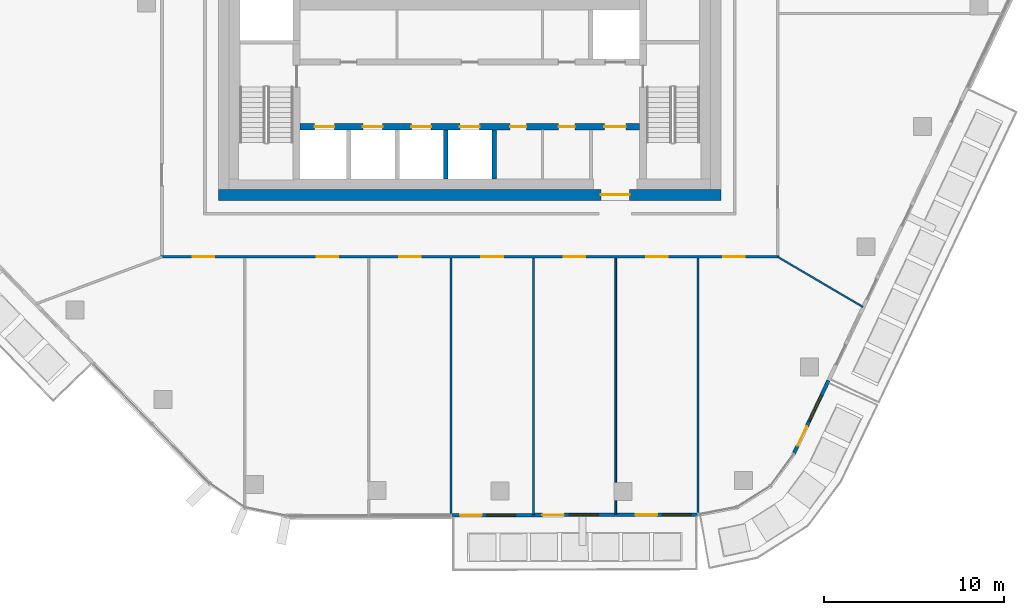
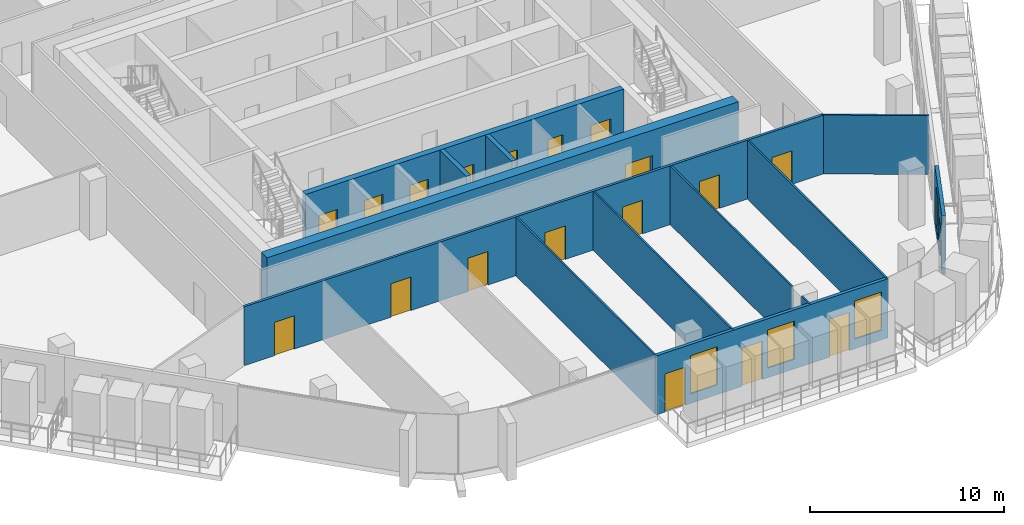
# One storey, part 13 of 24: 19 doors, 13 walls, 4 windows, 23 openings.
"""IFC4 building model written with IfcOpenShell, lengths in metres."""

import ifcopenshell
import ifcopenshell.guid

model = None  # the IFC model being written
_history = None  # IfcOwnerHistory: only IFC2X3 demands one
_inside = {}  # id of a spatial element -> (the spatial element, [elements in it])
_under = {}  # id of a project, library or spatial element -> (it, [spatial elements below it])
_declared = {}  # id of a project -> (the project, [libraries it declares])
_typed = {}  # id of a type object -> (the type object, [elements of that type])
_made_of = {}  # id of a material, layer set ... -> (it, [elements and type objects made of it])


def new_model(schema):
    """Start an empty IFC model of exactly this schema.

    Asked for "IFC4X3", IfcOpenShell would pick the latest addendum, in which some entities
    have other attributes; the version numbers below select the first issue.
    IFC2X3 requires an IfcOwnerHistory on every rooted entity: one is made here for all.
    """
    global model, _history
    if schema == "IFC4X3":
        model = ifcopenshell.file(schema_version=(4, 3, 0, 0))
    else:
        model = ifcopenshell.file(schema=schema)
    _inside.clear()
    _under.clear()
    _declared.clear()
    _typed.clear()
    _made_of.clear()
    _history = None
    if model.schema == "IFC2X3":
        org = make("IfcOrganization", Name="unknown")
        user = make(
            "IfcPersonAndOrganization",
            ThePerson=make("IfcPerson", FamilyName="unknown"),
            TheOrganization=org,
        )
        app = make(
            "IfcApplication",
            ApplicationDeveloper=org,
            Version="unknown",
            ApplicationFullName="unknown",
            ApplicationIdentifier="unknown",
        )
        _history = make(
            "IfcOwnerHistory",
            OwningUser=user,
            OwningApplication=app,
            ChangeAction="ADDED",
            CreationDate=0,
        )
    return model


def make(cls, **values):
    """One entity of the class cls with the attributes given. An attribute that is None is left unset."""
    return model.create_entity(
        cls, **{name: value for name, value in values.items() if value is not None}
    )


def rooted(cls, **values):
    """An entity with a GlobalId (a new one), such as an element, a storey or a relation."""
    return make(cls, GlobalId=ifcopenshell.guid.new(), OwnerHistory=_history, **values)


def si_unit(unit_type, name, prefix=None):
    """IfcSIUnit, for example si_unit("LENGTHUNIT", "METRE", prefix="MILLI")."""
    return make("IfcSIUnit", UnitType=unit_type, Prefix=prefix, Name=name)


def assignment(units):
    """IfcUnitAssignment: the units of a project."""
    return None if units is None else make("IfcUnitAssignment", Units=units)


def point(xyz):
    """IfcCartesianPoint."""
    return None if xyz is None else make("IfcCartesianPoint", Coordinates=xyz)


def direction(xyz):
    """IfcDirection."""
    return None if xyz is None else make("IfcDirection", DirectionRatios=xyz)


def frame(location, z_axis=None, x_axis=None):
    """IfcAxis2Placement3D, a coordinate frame: its origin and axes. An axis left out is left unset."""
    return make(
        "IfcAxis2Placement3D",
        Location=point(location),
        Axis=direction(z_axis),
        RefDirection=direction(x_axis),
    )


def frame_2d(location, x_axis=None):
    """IfcAxis2Placement2D, a coordinate frame in the plane: its origin and x axis."""
    return make(
        "IfcAxis2Placement2D", Location=point(location), RefDirection=direction(x_axis)
    )


def origin():
    """The frame at (0, 0, 0) with its axes left unset."""
    return frame((0.0, 0.0, 0.0))


def place(relative_to, where):
    """IfcLocalPlacement: puts the frame where relative to a parent placement (None: the world)."""
    return make(
        "IfcLocalPlacement", PlacementRelTo=relative_to, RelativePlacement=where
    )


def context(
    kind, dimensions, precision=None, world=None, true_north=None, identifier=None
):
    """IfcGeometricRepresentationContext, for example the 3D "Model" context."""
    return make(
        "IfcGeometricRepresentationContext",
        ContextIdentifier=identifier,
        ContextType=kind,
        CoordinateSpaceDimension=dimensions,
        Precision=precision,
        WorldCoordinateSystem=world,
        TrueNorth=true_north,
    )


def subcontext(parent, identifier, kind, view, scale=None):
    """IfcGeometricRepresentationSubContext, for example "Body" below "Model"."""
    return make(
        "IfcGeometricRepresentationSubContext",
        ContextIdentifier=identifier,
        ContextType=kind,
        ParentContext=parent,
        TargetScale=scale,
        TargetView=view,
    )


def project(units=None, contexts=None):
    """IfcProject with its units and contexts."""
    return rooted(
        "IfcProject",
        Name="project",
        RepresentationContexts=contexts,
        UnitsInContext=assignment(units),
    )


def spatial(cls, under=None, at=None, **own):
    """A site, building, storey or space (cls), placed at a placement, below another one or the project."""
    s = rooted(cls, ObjectPlacement=at, **own)
    if under is not None:
        _under.setdefault(under.id(), (under, []))[1].append(s)
    return s


def profile(cls, at=None, kind="AREA", **sizes):
    """A parametric profile (cls). Its sizes go by their IFC names, for example OverallWidth=200.0."""
    return make(cls, ProfileType=kind, Position=at, **sizes)


def rectangle(**sizes):
    """IfcRectangleProfileDef."""
    return profile("IfcRectangleProfileDef", **sizes)


def extrude(swept, where, along, depth):
    """IfcExtrudedAreaSolid: the profile swept, set in the frame where, extruded along a direction by depth."""
    return make(
        "IfcExtrudedAreaSolid",
        SweptArea=swept,
        Position=where,
        ExtrudedDirection=direction(along),
        Depth=depth,
    )


def shape(context_of_items, identifier, shape_type, items):
    """IfcShapeRepresentation: the items that make up one representation, for example the "Body"."""
    return make(
        "IfcShapeRepresentation",
        ContextOfItems=context_of_items,
        RepresentationIdentifier=identifier,
        RepresentationType=shape_type,
        Items=items,
    )


def material(Name=None, Category=None):
    """IfcMaterial."""
    return make("IfcMaterial", Name=Name, Category=Category)


def layer(
    of_material, thickness, ventilated=None, Name=None, Category=None, Priority=None
):
    """IfcMaterialLayer: one layer of a wall or slab, of a material (None: an air gap)."""
    return make(
        "IfcMaterialLayer",
        Material=of_material,
        LayerThickness=thickness,
        IsVentilated=ventilated,
        Name=Name,
        Category=Category,
        Priority=Priority,
    )


def layer_set(layers, Name=None):
    """IfcMaterialLayerSet."""
    return make("IfcMaterialLayerSet", MaterialLayers=layers, LayerSetName=Name)


def made_of(thing, what):
    """Note that an element or type object is made of a material, layer set ...; save() writes the relation."""
    if what is not None:
        _made_of.setdefault(what.id(), (what, []))[1].append(thing)
    return thing


def type_object(cls, material=None, **own):
    """A type object (cls), such as IfcWallType, which elements share."""
    return made_of(rooted(cls, **own), material)


def element(
    cls,
    number,
    at=None,
    inside=None,
    cuts=None,
    type_object=None,
    material=None,
    context=None,
    identifier="Body",
    shape_type=None,
    held_by="IfcProductDefinitionShape",
    body=None,
    shapes=None,
    **own,
):
    """One element of the class cls, such as IfcWall. Its Tag is "e" and its number.

    at: its placement. inside: the storey or other place that contains it. cuts: it is an
    opening in that element (IfcRelVoidsElement). A single representation is given by context,
    identifier, shape_type and body (its items); several are given by shapes. held_by: the class
    of the entity that holds the representations. save() writes the other relations.
    """
    e = rooted(cls, Tag="e%d" % number, ObjectPlacement=at, **own)
    if body is not None:
        shapes = [shape(context, identifier, shape_type, body)]
    if shapes is not None:
        e.Representation = make(held_by, Representations=shapes)
    if inside is not None:
        _inside.setdefault(inside.id(), (inside, []))[1].append(e)
    if cuts is not None:
        rooted(
            "IfcRelVoidsElement", RelatingBuildingElement=cuts, RelatedOpeningElement=e
        )
    if type_object is not None:
        _typed.setdefault(type_object.id(), (type_object, []))[1].append(e)
    return made_of(e, material)


def fill(opening, filler):
    """IfcRelFillsElement: the door or window that sits in an opening."""
    return rooted(
        "IfcRelFillsElement",
        RelatingOpeningElement=opening,
        RelatedBuildingElement=filler,
    )


def aggregate(whole, parts):
    """IfcRelAggregates: a whole, such as a stair, and the parts it consists of."""
    return rooted("IfcRelAggregates", RelatingObject=whole, RelatedObjects=parts)


def save(model, path):
    """Write the relations noted so far, then the file.

    IfcRelAggregates (storeys below a building ...), IfcRelContainedInSpatialStructure (elements
    in a storey), IfcRelDefinesByType, IfcRelAssociatesMaterial and IfcRelDeclares: one each for
    every whole, place, type object, material and project.
    """
    for whole, parts in _under.values():
        aggregate(whole, parts)
    for where, things in _inside.values():
        rooted(
            "IfcRelContainedInSpatialStructure",
            RelatedElements=things,
            RelatingStructure=where,
        )
    for kind, things in _typed.values():
        rooted("IfcRelDefinesByType", RelatedObjects=things, RelatingType=kind)
    for what, things in _made_of.values():
        rooted("IfcRelAssociatesMaterial", RelatedObjects=things, RelatingMaterial=what)
    for by, libraries in _declared.values():
        rooted("IfcRelDeclares", RelatingContext=by, RelatedDefinitions=libraries)
    model.write(path)


model = new_model("IFC4")

# Units and contexts
model_context = context("Model", 3, precision=1e-05, world=origin(), true_north=direction((0.0, 1.0)))
body_context = subcontext(model_context, "Body", "Model", "MODEL_VIEW")
ifc_project = project(units=[si_unit("LENGTHUNIT", "METRE"), si_unit("AREAUNIT", "SQUARE_METRE"), si_unit("VOLUMEUNIT", "CUBIC_METRE"), si_unit("PLANEANGLEUNIT", "RADIAN"), si_unit("MASSUNIT", "GRAM", prefix="KILO")], contexts=[model_context])

# Site, building, storey
site_placement = place(None, origin())
site = spatial("IfcSite", under=ifc_project, at=site_placement, CompositionType="ELEMENT")
building_placement = place(site_placement, origin())
building = spatial("IfcBuilding", under=site, at=building_placement, Name="Dongbaek Canopy Tower", CompositionType="ELEMENT")
storey_placement = place(building_placement, frame((0.0, 0.0, 348.800048828125)))
storey = spatial("IfcBuildingStorey", under=building, at=storey_placement, Name="L75", CompositionType="ELEMENT", Elevation=348.800048828125)

# Wall, openings, doors
ifc_material_1 = material(Name="Concrete C60/75", Category="concrete")
ifc_layer_1 = layer(ifc_material_1, 0.35009765625)
ifc_layer_set_1 = layer_set([ifc_layer_1], Name="Core lobby wall 350 Concrete C60/75")
wall_type_1 = type_object("IfcWallType", Name="Core lobby wall 350 Concrete C60/75", PredefinedType="SHEAR", material=ifc_layer_set_1)
wall_1_placement = place(storey_placement, frame((9.449951171875, -6.89990234375, 0.0), z_axis=(0.0, 0.0, 1.0), x_axis=(-1.0, 0.0, 0.0)))
wall_1 = element("IfcWall", 1, at=wall_1_placement, inside=storey, type_object=wall_type_1, Name="Core wall", PredefinedType="SHEAR", context=body_context, shape_type="SweptSolid", body=[
    extrude(rectangle(XDim=18.89990234375, YDim=0.35009765625, at=frame_2d((9.449951171875, 0.0))), origin(), (0.0, 0.0, 1.0), 3.699951171875),
])
opening_1_placement = place(wall_1_placement, frame((17.0, 0.0, 0.0)))
opening_1 = element("IfcOpeningElement", 2, at=opening_1_placement, cuts=wall_1, Name="Opening L75-D028", PredefinedType="OPENING", context=body_context, shape_type="SweptSolid", body=[
    extrude(rectangle(XDim=1.10009765625, YDim=2.10009765625, at=frame_2d((0.550048828125, 1.050048828125))), frame((0.0, 0.18505859375, 0.0), z_axis=(0.0, -1.0, 0.0), x_axis=(1.0, 0.0, 0.0)), (0.0, 0.0, 1.0), 0.3701171875),
])
opening_2_placement = place(wall_1_placement, frame((14.300048828125, 0.0, 0.0)))
opening_2 = element("IfcOpeningElement", 3, at=opening_2_placement, cuts=wall_1, Name="Opening L75-D029", PredefinedType="OPENING", context=body_context, shape_type="SweptSolid", body=[
    extrude(rectangle(XDim=1.10009765625, YDim=2.10009765625, at=frame_2d((0.550048828125, 1.050048828125))), frame((0.0, 0.18505859375, 0.0), z_axis=(0.0, -1.0, 0.0), x_axis=(1.0, 0.0, 0.0)), (0.0, 0.0, 1.0), 0.3701171875),
])
opening_3_placement = place(wall_1_placement, frame((11.60009765625, 0.0, 0.0)))
opening_3 = element("IfcOpeningElement", 4, at=opening_3_placement, cuts=wall_1, Name="Opening L75-D030", PredefinedType="OPENING", context=body_context, shape_type="SweptSolid", body=[
    extrude(rectangle(XDim=1.10009765625, YDim=2.10009765625, at=frame_2d((0.550048828125, 1.050048828125))), frame((0.0, 0.18505859375, 0.0), z_axis=(0.0, -1.0, 0.0), x_axis=(1.0, 0.0, 0.0)), (0.0, 0.0, 1.0), 0.3701171875),
])
opening_4_placement = place(wall_1_placement, frame((8.89990234375, 0.0, 0.0)))
opening_4 = element("IfcOpeningElement", 5, at=opening_4_placement, cuts=wall_1, Name="Opening L75-D031", PredefinedType="OPENING", context=body_context, shape_type="SweptSolid", body=[
    extrude(rectangle(XDim=1.10009765625, YDim=2.10009765625, at=frame_2d((0.550048828125, 1.050048828125))), frame((0.0, 0.18505859375, 0.0), z_axis=(0.0, -1.0, 0.0), x_axis=(1.0, 0.0, 0.0)), (0.0, 0.0, 1.0), 0.3701171875),
])
opening_5_placement = place(wall_1_placement, frame((0.75, 0.0, 0.0)))
opening_5 = element("IfcOpeningElement", 6, at=opening_5_placement, cuts=wall_1, Name="Opening L75-D033", PredefinedType="OPENING", context=body_context, shape_type="SweptSolid", body=[
    extrude(rectangle(XDim=1.199951171875, YDim=2.10009765625, at=frame_2d((0.60009765625, 1.050048828125))), frame((0.0, 0.18505859375, 0.0), z_axis=(0.0, -1.0, 0.0), x_axis=(1.0, 0.0, 0.0)), (0.0, 0.0, 1.0), 0.3701171875),
])
opening_6_placement = place(wall_1_placement, frame((6.300048828125, 0.0, 0.0)))
opening_6 = element("IfcOpeningElement", 7, at=opening_6_placement, cuts=wall_1, Name="Opening L75-D042", PredefinedType="OPENING", context=body_context, shape_type="SweptSolid", body=[
    extrude(rectangle(XDim=0.89990234375, YDim=2.10009765625, at=frame_2d((0.449951171875, 1.050048828125))), frame((0.0, 0.18505859375, 0.0), z_axis=(0.0, -1.0, 0.0), x_axis=(1.0, 0.0, 0.0)), (0.0, 0.0, 1.0), 0.3701171875),
])
opening_7_placement = place(wall_1_placement, frame((3.60009765625, 0.0, 0.0)))
opening_7 = element("IfcOpeningElement", 8, at=opening_7_placement, cuts=wall_1, Name="Opening L75-D043", PredefinedType="OPENING", context=body_context, shape_type="SweptSolid", body=[
    extrude(rectangle(XDim=0.89990234375, YDim=2.10009765625, at=frame_2d((0.449951171875, 1.050048828125))), frame((0.0, 0.18505859375, 0.0), z_axis=(0.0, -1.0, 0.0), x_axis=(1.0, 0.0, 0.0)), (0.0, 0.0, 1.0), 0.3701171875),
])
ifc_material_2 = material(Name="Steel", Category="steel")
door_type_1 = type_object("IfcDoorType", Name="Core room door 900 x 2100", OperationType="SINGLE_SWING_LEFT", PredefinedType="DOOR", material=ifc_material_2)
door_1_placement = place(opening_6_placement, origin())
door_1 = element("IfcDoor", 9, at=door_1_placement, inside=storey, type_object=door_type_1, Name="Door L75-D042", OperationType="SINGLE_SWING_RIGHT", OverallHeight=2.10009765625, OverallWidth=0.89990234375, PredefinedType="DOOR", context=body_context, shape_type="SweptSolid", body=[
    extrude(rectangle(XDim=0.89990234375, YDim=2.10009765625, at=frame_2d((0.449951171875, 1.050048828125))), frame((0.0, 0.02490234375, 0.0), z_axis=(0.0, -1.0, 0.0), x_axis=(1.0, 0.0, 0.0)), (0.0, 0.0, 1.0), 0.050048828125),
])
fill(opening_6, door_1)
door_2_placement = place(opening_7_placement, origin())
door_2 = element("IfcDoor", 10, at=door_2_placement, inside=storey, type_object=door_type_1, Name="Door L75-D043", OperationType="SINGLE_SWING_LEFT", OverallHeight=2.10009765625, OverallWidth=0.89990234375, PredefinedType="DOOR", context=body_context, shape_type="SweptSolid", body=[
    extrude(rectangle(XDim=0.89990234375, YDim=2.10009765625, at=frame_2d((0.449951171875, 1.050048828125))), frame((0.0, 0.02490234375, 0.0), z_axis=(0.0, -1.0, 0.0), x_axis=(1.0, 0.0, 0.0)), (0.0, 0.0, 1.0), 0.050048828125),
])
fill(opening_7, door_2)
ifc_material_3 = material(Name="Steel", Category="steel")
door_type_2 = type_object("IfcDoorType", Name="Fire lobby door 1200 x 2100", OperationType="SINGLE_SWING_LEFT", PredefinedType="DOOR", material=ifc_material_3)
door_3_placement = place(opening_5_placement, origin())
door_3 = element("IfcDoor", 11, at=door_3_placement, inside=storey, type_object=door_type_2, Name="Door L75-D033", OperationType="SINGLE_SWING_LEFT", OverallHeight=2.10009765625, OverallWidth=1.199951171875, PredefinedType="DOOR", context=body_context, shape_type="SweptSolid", body=[
    extrude(rectangle(XDim=1.199951171875, YDim=2.10009765625, at=frame_2d((0.60009765625, 1.050048828125))), frame((0.0, 0.02490234375, 0.0), z_axis=(0.0, -1.0, 0.0), x_axis=(1.0, 0.0, 0.0)), (0.0, 0.0, 1.0), 0.050048828125),
])
fill(opening_5, door_3)
ifc_material_4 = material(Name="Stainless steel", Category="steel")
door_type_3 = type_object("IfcDoorType", Name="Lift landing door 1100 x 2100", OperationType="DOUBLE_DOOR_SLIDING", PredefinedType="DOOR", material=ifc_material_4)
door_4_placement = place(opening_1_placement, origin())
door_4 = element("IfcDoor", 12, at=door_4_placement, inside=storey, type_object=door_type_3, Name="Landing door HR1", OperationType="DOUBLE_DOOR_SLIDING", OverallHeight=2.10009765625, OverallWidth=1.10009765625, PredefinedType="DOOR", context=body_context, shape_type="SweptSolid", body=[
    extrude(rectangle(XDim=1.10009765625, YDim=2.10009765625, at=frame_2d((0.550048828125, 1.050048828125))), frame((0.0, 0.02490234375, 0.0), z_axis=(0.0, -1.0, 0.0), x_axis=(1.0, 0.0, 0.0)), (0.0, 0.0, 1.0), 0.050048828125),
])
fill(opening_1, door_4)
door_5_placement = place(opening_2_placement, origin())
door_5 = element("IfcDoor", 13, at=door_5_placement, inside=storey, type_object=door_type_3, Name="Landing door HR2", OperationType="DOUBLE_DOOR_SLIDING", OverallHeight=2.10009765625, OverallWidth=1.10009765625, PredefinedType="DOOR", context=body_context, shape_type="SweptSolid", body=[
    extrude(rectangle(XDim=1.10009765625, YDim=2.10009765625, at=frame_2d((0.550048828125, 1.050048828125))), frame((0.0, 0.02490234375, 0.0), z_axis=(0.0, -1.0, 0.0), x_axis=(1.0, 0.0, 0.0)), (0.0, 0.0, 1.0), 0.050048828125),
])
fill(opening_2, door_5)
door_6_placement = place(opening_3_placement, origin())
door_6 = element("IfcDoor", 14, at=door_6_placement, inside=storey, type_object=door_type_3, Name="Landing door HR3", OperationType="DOUBLE_DOOR_SLIDING", OverallHeight=2.10009765625, OverallWidth=1.10009765625, PredefinedType="DOOR", context=body_context, shape_type="SweptSolid", body=[
    extrude(rectangle(XDim=1.10009765625, YDim=2.10009765625, at=frame_2d((0.550048828125, 1.050048828125))), frame((0.0, 0.02490234375, 0.0), z_axis=(0.0, -1.0, 0.0), x_axis=(1.0, 0.0, 0.0)), (0.0, 0.0, 1.0), 0.050048828125),
])
fill(opening_3, door_6)
door_7_placement = place(opening_4_placement, origin())
door_7 = element("IfcDoor", 15, at=door_7_placement, inside=storey, type_object=door_type_3, Name="Landing door HR4", OperationType="DOUBLE_DOOR_SLIDING", OverallHeight=2.10009765625, OverallWidth=1.10009765625, PredefinedType="DOOR", context=body_context, shape_type="SweptSolid", body=[
    extrude(rectangle(XDim=1.10009765625, YDim=2.10009765625, at=frame_2d((0.550048828125, 1.050048828125))), frame((0.0, 0.02490234375, 0.0), z_axis=(0.0, -1.0, 0.0), x_axis=(1.0, 0.0, 0.0)), (0.0, 0.0, 1.0), 0.050048828125),
])
fill(opening_4, door_7)

# Wall, opening, door
ifc_material_5 = material(Name="Concrete C80/95", Category="concrete")
ifc_layer_2 = layer(ifc_material_5, 0.60009765625)
ifc_layer_set_2 = layer_set([ifc_layer_2], Name="Core outer wall 600 Concrete C80/95")
wall_type_2 = type_object("IfcWallType", Name="Core outer wall 600 Concrete C80/95", PredefinedType="SHEAR", material=ifc_layer_set_2)
wall_2_placement = place(storey_placement, frame((14.0, -10.699951171875, 0.0), z_axis=(0.0, 0.0, 1.0), x_axis=(-1.0, 0.0, 0.0)))
wall_2 = element("IfcWall", 16, at=wall_2_placement, inside=storey, type_object=wall_type_2, Name="Core wall", PredefinedType="SHEAR", context=body_context, shape_type="SweptSolid", body=[
    extrude(rectangle(XDim=28.0, YDim=0.60009765625, at=frame_2d((14.0, 0.0))), origin(), (0.0, 0.0, 1.0), 3.699951171875),
])
opening_8_placement = place(wall_2_placement, frame((5.10009765625, 0.0, 0.0)))
opening_8 = element("IfcOpeningElement", 17, at=opening_8_placement, cuts=wall_2, Name="Opening L75-D032", PredefinedType="OPENING", context=body_context, shape_type="SweptSolid", body=[
    extrude(rectangle(XDim=1.60009765625, YDim=2.10009765625, at=frame_2d((0.800048828125, 1.050048828125))), frame((0.0, 0.31005859375, 0.0), z_axis=(0.0, -1.0, 0.0), x_axis=(1.0, 0.0, 0.0)), (0.0, 0.0, 1.0), 0.6201171875),
])
ifc_material_6 = material(Name="Steel", Category="steel")
door_type_4 = type_object("IfcDoorType", Name="Core exit door 1600 x 2100", OperationType="DOUBLE_DOOR_SINGLE_SWING", PredefinedType="DOOR", material=ifc_material_6)
door_8_placement = place(opening_8_placement, origin())
door_8 = element("IfcDoor", 18, at=door_8_placement, inside=storey, type_object=door_type_4, Name="Core exit door", OperationType="DOUBLE_DOOR_SINGLE_SWING", OverallHeight=2.10009765625, OverallWidth=1.60009765625, PredefinedType="DOOR", context=body_context, shape_type="SweptSolid", body=[
    extrude(rectangle(XDim=1.60009765625, YDim=2.10009765625, at=frame_2d((0.800048828125, 1.050048828125))), frame((0.0, 0.02490234375, 0.0), z_axis=(0.0, -1.0, 0.0), x_axis=(1.0, 0.0, 0.0)), (0.0, 0.0, 1.0), 0.050048828125),
])
fill(opening_8, door_8)

# Wall, openings, doors
ifc_material_7 = material(Name="Gypsum board partition, steel stud, 2 x 15 mm fire board", Category="steel")
ifc_layer_3 = layer(ifc_material_7, 0.14990234375)
ifc_layer_set_3 = layer_set([ifc_layer_3], Name="Fire-rated partition 150 gypsum board")
wall_type_3 = type_object("IfcWallType", Name="Fire-rated partition 150 gypsum board", PredefinedType="PARTITIONING", material=ifc_layer_set_3)
wall_3_placement = place(storey_placement, frame((17.22509765625, -14.14990234375, 0.0), z_axis=(0.0, 0.0, 1.0), x_axis=(-1.0, 0.0, 0.0)))
wall_3 = element("IfcWall", 19, at=wall_3_placement, inside=storey, type_object=wall_type_3, Name="Corridor partition", PredefinedType="PARTITIONING", context=body_context, shape_type="SweptSolid", body=[
    extrude(rectangle(XDim=34.4501953125, YDim=0.14990234375, at=frame_2d((17.22509765625, 0.0))), origin(), (0.0, 0.0, 1.0), 3.699951171875),
])
opening_9_placement = place(wall_3_placement, frame((31.46435546875, 0.0, 0.0)))
opening_9 = element("IfcOpeningElement", 20, at=opening_9_placement, cuts=wall_3, Name="Opening L75-D002", PredefinedType="OPENING", context=body_context, shape_type="SweptSolid", body=[
    extrude(rectangle(XDim=1.199951171875, YDim=2.10009765625, at=frame_2d((0.60009765625, 1.050048828125))), frame((0.0, 0.0849609375, 0.0), z_axis=(0.0, -1.0, 0.0), x_axis=(1.0, 0.0, 0.0)), (0.0, 0.0, 1.0), 0.169921875),
])
opening_10_placement = place(wall_3_placement, frame((24.54638671875, 0.0, 0.0)))
opening_10 = element("IfcOpeningElement", 21, at=opening_10_placement, cuts=wall_3, Name="Opening L75-D003", PredefinedType="OPENING", context=body_context, shape_type="SweptSolid", body=[
    extrude(rectangle(XDim=1.199951171875, YDim=2.10009765625, at=frame_2d((0.60009765625, 1.050048828125))), frame((0.0, 0.0849609375, 0.0), z_axis=(0.0, -1.0, 0.0), x_axis=(1.0, 0.0, 0.0)), (0.0, 0.0, 1.0), 0.169921875),
])
opening_11_placement = place(wall_3_placement, frame((19.962158203125, 0.0, 0.0)))
opening_11 = element("IfcOpeningElement", 22, at=opening_11_placement, cuts=wall_3, Name="Opening L75-D004", PredefinedType="OPENING", context=body_context, shape_type="SweptSolid", body=[
    extrude(rectangle(XDim=1.199951171875, YDim=2.10009765625, at=frame_2d((0.60009765625, 1.050048828125))), frame((0.0, 0.0849609375, 0.0), z_axis=(0.0, -1.0, 0.0), x_axis=(1.0, 0.0, 0.0)), (0.0, 0.0, 1.0), 0.169921875),
])
opening_12_placement = place(wall_3_placement, frame((15.37451171875, 0.0, 0.0)))
opening_12 = element("IfcOpeningElement", 23, at=opening_12_placement, cuts=wall_3, Name="Opening L75-D005", PredefinedType="OPENING", context=body_context, shape_type="SweptSolid", body=[
    extrude(rectangle(XDim=1.199951171875, YDim=2.10009765625, at=frame_2d((0.60009765625, 1.050048828125))), frame((0.0, 0.0849609375, 0.0), z_axis=(0.0, -1.0, 0.0), x_axis=(1.0, 0.0, 0.0)), (0.0, 0.0, 1.0), 0.169921875),
])
opening_13_placement = place(wall_3_placement, frame((10.788330078125, 0.0, 0.0)))
opening_13 = element("IfcOpeningElement", 24, at=opening_13_placement, cuts=wall_3, Name="Opening L75-D006", PredefinedType="OPENING", context=body_context, shape_type="SweptSolid", body=[
    extrude(rectangle(XDim=1.199951171875, YDim=2.10009765625, at=frame_2d((0.60009765625, 1.050048828125))), frame((0.0, 0.0849609375, 0.0), z_axis=(0.0, -1.0, 0.0), x_axis=(1.0, 0.0, 0.0)), (0.0, 0.0, 1.0), 0.169921875),
])
opening_14_placement = place(wall_3_placement, frame((6.202392578125, 0.0, 0.0)))
opening_14 = element("IfcOpeningElement", 25, at=opening_14_placement, cuts=wall_3, Name="Opening L75-D007", PredefinedType="OPENING", context=body_context, shape_type="SweptSolid", body=[
    extrude(rectangle(XDim=1.199951171875, YDim=2.10009765625, at=frame_2d((0.60009765625, 1.050048828125))), frame((0.0, 0.0849609375, 0.0), z_axis=(0.0, -1.0, 0.0), x_axis=(1.0, 0.0, 0.0)), (0.0, 0.0, 1.0), 0.169921875),
])
opening_15_placement = place(wall_3_placement, frame((1.89697265625, 0.0, 0.0)))
opening_15 = element("IfcOpeningElement", 26, at=opening_15_placement, cuts=wall_3, Name="Opening L75-D008", PredefinedType="OPENING", context=body_context, shape_type="SweptSolid", body=[
    extrude(rectangle(XDim=1.199951171875, YDim=2.10009765625, at=frame_2d((0.60009765625, 1.050048828125))), frame((0.0, 0.0849609375, 0.0), z_axis=(0.0, -1.0, 0.0), x_axis=(1.0, 0.0, 0.0)), (0.0, 0.0, 1.0), 0.169921875),
])
ifc_material_8 = material(Name="Timber veneered door leaf", Category="wood")
door_type_5 = type_object("IfcDoorType", Name="Room door 1200 x 2100", OperationType="SINGLE_SWING_LEFT", PredefinedType="DOOR", material=ifc_material_8)
door_9_placement = place(opening_9_placement, origin())
door_9 = element("IfcDoor", 27, at=door_9_placement, inside=storey, type_object=door_type_5, Name="Door L75-D002", OperationType="SINGLE_SWING_LEFT", OverallHeight=2.10009765625, OverallWidth=1.199951171875, PredefinedType="DOOR", context=body_context, shape_type="SweptSolid", body=[
    extrude(rectangle(XDim=1.199951171875, YDim=2.10009765625, at=frame_2d((0.60009765625, 1.050048828125))), frame((0.0, 0.02490234375, 0.0), z_axis=(0.0, -1.0, 0.0), x_axis=(1.0, 0.0, 0.0)), (0.0, 0.0, 1.0), 0.050048828125),
])
fill(opening_9, door_9)
door_10_placement = place(opening_10_placement, origin())
door_10 = element("IfcDoor", 28, at=door_10_placement, inside=storey, type_object=door_type_5, Name="Door L75-D003", OperationType="SINGLE_SWING_RIGHT", OverallHeight=2.10009765625, OverallWidth=1.199951171875, PredefinedType="DOOR", context=body_context, shape_type="SweptSolid", body=[
    extrude(rectangle(XDim=1.199951171875, YDim=2.10009765625, at=frame_2d((0.60009765625, 1.050048828125))), frame((0.0, 0.02490234375, 0.0), z_axis=(0.0, -1.0, 0.0), x_axis=(1.0, 0.0, 0.0)), (0.0, 0.0, 1.0), 0.050048828125),
])
fill(opening_10, door_10)
door_11_placement = place(opening_11_placement, origin())
door_11 = element("IfcDoor", 29, at=door_11_placement, inside=storey, type_object=door_type_5, Name="Door L75-D004", OperationType="SINGLE_SWING_LEFT", OverallHeight=2.10009765625, OverallWidth=1.199951171875, PredefinedType="DOOR", context=body_context, shape_type="SweptSolid", body=[
    extrude(rectangle(XDim=1.199951171875, YDim=2.10009765625, at=frame_2d((0.60009765625, 1.050048828125))), frame((0.0, 0.02490234375, 0.0), z_axis=(0.0, -1.0, 0.0), x_axis=(1.0, 0.0, 0.0)), (0.0, 0.0, 1.0), 0.050048828125),
])
fill(opening_11, door_11)
door_12_placement = place(opening_12_placement, origin())
door_12 = element("IfcDoor", 30, at=door_12_placement, inside=storey, type_object=door_type_5, Name="Door L75-D005", OperationType="SINGLE_SWING_RIGHT", OverallHeight=2.10009765625, OverallWidth=1.199951171875, PredefinedType="DOOR", context=body_context, shape_type="SweptSolid", body=[
    extrude(rectangle(XDim=1.199951171875, YDim=2.10009765625, at=frame_2d((0.60009765625, 1.050048828125))), frame((0.0, 0.02490234375, 0.0), z_axis=(0.0, -1.0, 0.0), x_axis=(1.0, 0.0, 0.0)), (0.0, 0.0, 1.0), 0.050048828125),
])
fill(opening_12, door_12)
door_13_placement = place(opening_13_placement, origin())
door_13 = element("IfcDoor", 31, at=door_13_placement, inside=storey, type_object=door_type_5, Name="Door L75-D006", OperationType="SINGLE_SWING_LEFT", OverallHeight=2.10009765625, OverallWidth=1.199951171875, PredefinedType="DOOR", context=body_context, shape_type="SweptSolid", body=[
    extrude(rectangle(XDim=1.199951171875, YDim=2.10009765625, at=frame_2d((0.60009765625, 1.050048828125))), frame((0.0, 0.02490234375, 0.0), z_axis=(0.0, -1.0, 0.0), x_axis=(1.0, 0.0, 0.0)), (0.0, 0.0, 1.0), 0.050048828125),
])
fill(opening_13, door_13)
door_14_placement = place(opening_14_placement, origin())
door_14 = element("IfcDoor", 32, at=door_14_placement, inside=storey, type_object=door_type_5, Name="Door L75-D007", OperationType="SINGLE_SWING_RIGHT", OverallHeight=2.10009765625, OverallWidth=1.199951171875, PredefinedType="DOOR", context=body_context, shape_type="SweptSolid", body=[
    extrude(rectangle(XDim=1.199951171875, YDim=2.10009765625, at=frame_2d((0.60009765625, 1.050048828125))), frame((0.0, 0.02490234375, 0.0), z_axis=(0.0, -1.0, 0.0), x_axis=(1.0, 0.0, 0.0)), (0.0, 0.0, 1.0), 0.050048828125),
])
fill(opening_14, door_14)
door_15_placement = place(opening_15_placement, origin())
door_15 = element("IfcDoor", 33, at=door_15_placement, inside=storey, type_object=door_type_5, Name="Door L75-D008", OperationType="SINGLE_SWING_LEFT", OverallHeight=2.10009765625, OverallWidth=1.199951171875, PredefinedType="DOOR", context=body_context, shape_type="SweptSolid", body=[
    extrude(rectangle(XDim=1.199951171875, YDim=2.10009765625, at=frame_2d((0.60009765625, 1.050048828125))), frame((0.0, 0.02490234375, 0.0), z_axis=(0.0, -1.0, 0.0), x_axis=(1.0, 0.0, 0.0)), (0.0, 0.0, 1.0), 0.050048828125),
])
fill(opening_15, door_15)

# Walls
ifc_material_9 = material(Name="Concrete C40/50", Category="concrete")
ifc_layer_4 = layer(ifc_material_9, 0.25)
ifc_layer_set_4 = layer_set([ifc_layer_4], Name="Lift shaft wall 250 Concrete C40/50")
wall_type_4 = type_object("IfcWallType", Name="Lift shaft wall 250 Concrete C40/50", PredefinedType="SOLIDWALL", material=ifc_layer_set_4)
for number, where, z_axis, x_axis, name in (
    (34, (1.35009765625, -9.800048828125, 0.0), (0.0, 0.0, 1.0), (0.0, 1.0, 0.0), "Lift shaft wall"),
    (35, (-1.35009765625, -9.800048828125, 0.0), (0.0, 0.0, 1.0), (0.0, 1.0, 0.0), "Lift shaft wall"),
):
    element("IfcWall", number, at=place(storey_placement, frame(where, z_axis=z_axis, x_axis=x_axis)), inside=storey, type_object=wall_type_4, Name=name, PredefinedType="SOLIDWALL", context=body_context, shape_type="SweptSolid", body=[
        extrude(rectangle(XDim=2.72509765625, YDim=0.25, at=frame_2d((1.362548828125, 0.0))), origin(), (0.0, 0.0, 1.0), 3.699951171875),
    ])
ifc_material_10 = material(Name="Gypsum board partition, steel stud, 2 x 12.5 mm board", Category="steel")
ifc_layer_5 = layer(ifc_material_10, 0.10009765625)
ifc_layer_set_5 = layer_set([ifc_layer_5], Name="Partition 100 gypsum board")
wall_type_5 = type_object("IfcWallType", Name="Partition 100 gypsum board", PredefinedType="PARTITIONING", material=ifc_layer_set_5)
wall_4_placement = place(storey_placement, frame((12.716064453125, -28.483154296875, 0.0), z_axis=(0.0, 0.0, 1.0), x_axis=(0.0, 1.0, 0.0)))
element("IfcWall", 36, at=wall_4_placement, inside=storey, type_object=wall_type_5, Name="Partition", PredefinedType="PARTITIONING", context=body_context, shape_type="SweptSolid", body=[
    extrude(rectangle(XDim=14.258056640625, YDim=0.10009765625, at=frame_2d((7.12890625, 0.0))), origin(), (0.0, 0.0, 1.0), 3.699951171875),
])
wall_5_placement = place(storey_placement, frame((8.1298828125, -28.49755859375, 0.0), z_axis=(0.0, 0.0, 1.0), x_axis=(0.0, 1.0, 0.0)))
element("IfcWall", 37, at=wall_5_placement, inside=storey, type_object=wall_type_5, Name="Partition", PredefinedType="PARTITIONING", context=body_context, shape_type="SweptSolid", body=[
    extrude(rectangle(XDim=0.7705078125, YDim=0.10009765625, at=frame_2d((0.38525390625, 0.0))), origin(), (0.0, 0.0, 1.0), 3.699951171875),
])
wall_6_placement = place(storey_placement, frame((8.1298828125, -26.72705078125, 0.0), z_axis=(0.0, 0.0, 1.0), x_axis=(0.0, 1.0, 0.0)))
element("IfcWall", 38, at=wall_6_placement, inside=storey, type_object=wall_type_5, Name="Partition", PredefinedType="PARTITIONING", context=body_context, shape_type="SweptSolid", body=[
    extrude(rectangle(XDim=12.501953125, YDim=0.10009765625, at=frame_2d((6.2509765625, 0.0))), origin(), (0.0, 0.0, 1.0), 3.699951171875),
])
wall_7_placement = place(storey_placement, frame((3.5439453125, -28.51171875, 0.0), z_axis=(0.0, 0.0, 1.0), x_axis=(0.0, 1.0, 0.0)))
element("IfcWall", 39, at=wall_7_placement, inside=storey, type_object=wall_type_5, Name="Partition", PredefinedType="PARTITIONING", context=body_context, shape_type="SweptSolid", body=[
    extrude(rectangle(XDim=14.28662109375, YDim=0.10009765625, at=frame_2d((7.143310546875, 0.0))), origin(), (0.0, 0.0, 1.0), 3.699951171875),
])
wall_8_placement = place(storey_placement, frame((-1.04296875, -28.525634765625, 0.0), z_axis=(0.0, 0.0, 1.0), x_axis=(0.0, 1.0, 0.0)))
element("IfcWall", 40, at=wall_8_placement, inside=storey, type_object=wall_type_5, Name="Partition", PredefinedType="PARTITIONING", context=body_context, shape_type="SweptSolid", body=[
    extrude(rectangle(XDim=14.300537109375, YDim=0.10009765625, at=frame_2d((7.150390625, 0.0))), origin(), (0.0, 0.0, 1.0), 3.699951171875),
])
wall_9_placement = place(storey_placement, frame((17.14990234375, -14.150146484375, 0.0), z_axis=(0.0, 0.0, 1.0), x_axis=(0.862152840624, -0.506648279781, 0.0)))
element("IfcWall", 41, at=wall_9_placement, inside=storey, type_object=wall_type_5, Name="Partition", PredefinedType="PARTITIONING", context=body_context, shape_type="SweptSolid", body=[
    extrude(rectangle(XDim=5.509765625, YDim=0.10009765625, at=frame_2d((2.7548828125, 0.0))), origin(), (0.0, 0.0, 1.0), 3.699951171875),
])

# Wall, openings, doors, windows
ifc_material_11 = material(Name="Aluminium window wall", Category="aluminium")
ifc_layer_6 = layer(ifc_material_11, 0.199951171875)
ifc_layer_set_6 = layer_set([ifc_layer_6], Name="Window wall 200")
wall_type_6 = type_object("IfcWallType", Name="Window wall 200", PredefinedType="SOLIDWALL", material=ifc_layer_set_6)
wall_10_placement = place(storey_placement, frame((-1.04248046875, -28.545654296875, 0.0), z_axis=(0.0, 0.0, 1.0), x_axis=(0.999995287953, 0.003069865224, 0.0)))
wall_10 = element("IfcWall", 42, at=wall_10_placement, inside=storey, type_object=wall_type_6, Name="Window wall L75 4", PredefinedType="SOLIDWALL", context=body_context, shape_type="SweptSolid", body=[
    extrude(rectangle(XDim=13.75830078125, YDim=0.199951171875, at=frame_2d((6.879150390625, 0.0))), origin(), (0.0, 0.0, 1.0), 3.699951171875),
])
opening_16_placement = place(wall_10_placement, frame((2.0, 0.0, 0.60009765625)))
opening_16 = element("IfcOpeningElement", 43, at=opening_16_placement, cuts=wall_10, Name="Opening W1", PredefinedType="OPENING", context=body_context, shape_type="SweptSolid", body=[
    extrude(rectangle(XDim=1.60009765625, YDim=2.39990234375, at=frame_2d((0.800048828125, 1.199951171875))), frame((0.0, 0.10986328125, 0.0), z_axis=(0.0, -1.0, 0.0), x_axis=(1.0, 0.0, 0.0)), (0.0, 0.0, 1.0), 0.219970703125),
])
opening_17_placement = place(wall_10_placement, frame((0.5, 0.0, 0.0)))
opening_17 = element("IfcOpeningElement", 44, at=opening_17_placement, cuts=wall_10, Name="Opening L75-B10", PredefinedType="OPENING", context=body_context, shape_type="SweptSolid", body=[
    extrude(rectangle(XDim=1.199951171875, YDim=2.39990234375, at=frame_2d((0.60009765625, 1.199951171875))), frame((0.0, 0.10986328125, 0.0), z_axis=(0.0, -1.0, 0.0), x_axis=(1.0, 0.0, 0.0)), (0.0, 0.0, 1.0), 0.219970703125),
])
opening_18_placement = place(wall_10_placement, frame((6.586181640625, 0.0, 0.60009765625)))
opening_18 = element("IfcOpeningElement", 45, at=opening_18_placement, cuts=wall_10, Name="Opening W1", PredefinedType="OPENING", context=body_context, shape_type="SweptSolid", body=[
    extrude(rectangle(XDim=1.60009765625, YDim=2.39990234375, at=frame_2d((0.800048828125, 1.199951171875))), frame((0.0, 0.10986328125, 0.0), z_axis=(0.0, -1.0, 0.0), x_axis=(1.0, 0.0, 0.0)), (0.0, 0.0, 1.0), 0.219970703125),
])
opening_19_placement = place(wall_10_placement, frame((5.086181640625, 0.0, 0.0)))
opening_19 = element("IfcOpeningElement", 46, at=opening_19_placement, cuts=wall_10, Name="Opening L75-B11", PredefinedType="OPENING", context=body_context, shape_type="SweptSolid", body=[
    extrude(rectangle(XDim=1.199951171875, YDim=2.39990234375, at=frame_2d((0.60009765625, 1.199951171875))), frame((0.0, 0.10986328125, 0.0), z_axis=(0.0, -1.0, 0.0), x_axis=(1.0, 0.0, 0.0)), (0.0, 0.0, 1.0), 0.219970703125),
])
opening_20_placement = place(wall_10_placement, frame((11.772216796875, 0.0, 0.60009765625)))
opening_20 = element("IfcOpeningElement", 47, at=opening_20_placement, cuts=wall_10, Name="Opening W1", PredefinedType="OPENING", context=body_context, shape_type="SweptSolid", body=[
    extrude(rectangle(XDim=1.60009765625, YDim=2.39990234375, at=frame_2d((0.800048828125, 1.199951171875))), frame((0.0, 0.10986328125, 0.0), z_axis=(0.0, -1.0, 0.0), x_axis=(1.0, 0.0, 0.0)), (0.0, 0.0, 1.0), 0.219970703125),
])
opening_21_placement = place(wall_10_placement, frame((10.272216796875, 0.0, 0.0)))
opening_21 = element("IfcOpeningElement", 48, at=opening_21_placement, cuts=wall_10, Name="Opening L75-B12", PredefinedType="OPENING", context=body_context, shape_type="SweptSolid", body=[
    extrude(rectangle(XDim=1.199951171875, YDim=2.39990234375, at=frame_2d((0.60009765625, 1.199951171875))), frame((0.0, 0.10986328125, 0.0), z_axis=(0.0, -1.0, 0.0), x_axis=(1.0, 0.0, 0.0)), (0.0, 0.0, 1.0), 0.219970703125),
])
ifc_material_12 = material(Name="Clear glazing in aluminium frame", Category="aluminium")
door_type_6 = type_object("IfcDoorType", Name="Balcony door BD1 1200 x 2400", OperationType="SLIDING_TO_LEFT", PredefinedType="DOOR", material=ifc_material_12)
door_16_placement = place(opening_17_placement, origin())
door_16 = element("IfcDoor", 49, at=door_16_placement, inside=storey, type_object=door_type_6, Name="Balcony door L75-B10", OperationType="SLIDING_TO_LEFT", OverallHeight=2.39990234375, OverallWidth=1.199951171875, PredefinedType="DOOR", context=body_context, shape_type="SweptSolid", body=[
    extrude(rectangle(XDim=1.199951171875, YDim=2.39990234375, at=frame_2d((0.60009765625, 1.199951171875))), frame((0.0, 0.02490234375, 0.0), z_axis=(0.0, -1.0, 0.0), x_axis=(1.0, 0.0, 0.0)), (0.0, 0.0, 1.0), 0.050048828125),
])
fill(opening_17, door_16)
door_17_placement = place(opening_19_placement, origin())
door_17 = element("IfcDoor", 50, at=door_17_placement, inside=storey, type_object=door_type_6, Name="Balcony door L75-B11", OperationType="SLIDING_TO_LEFT", OverallHeight=2.39990234375, OverallWidth=1.199951171875, PredefinedType="DOOR", context=body_context, shape_type="SweptSolid", body=[
    extrude(rectangle(XDim=1.199951171875, YDim=2.39990234375, at=frame_2d((0.60009765625, 1.199951171875))), frame((0.0, 0.02490234375, 0.0), z_axis=(0.0, -1.0, 0.0), x_axis=(1.0, 0.0, 0.0)), (0.0, 0.0, 1.0), 0.050048828125),
])
fill(opening_19, door_17)
door_18_placement = place(opening_21_placement, origin())
door_18 = element("IfcDoor", 51, at=door_18_placement, inside=storey, type_object=door_type_6, Name="Balcony door L75-B12", OperationType="SLIDING_TO_LEFT", OverallHeight=2.39990234375, OverallWidth=1.199951171875, PredefinedType="DOOR", context=body_context, shape_type="SweptSolid", body=[
    extrude(rectangle(XDim=1.199951171875, YDim=2.39990234375, at=frame_2d((0.60009765625, 1.199951171875))), frame((0.0, 0.02490234375, 0.0), z_axis=(0.0, -1.0, 0.0), x_axis=(1.0, 0.0, 0.0)), (0.0, 0.0, 1.0), 0.050048828125),
])
fill(opening_21, door_18)
ifc_material_13 = material(Name="Clear glazing in aluminium frame", Category="aluminium")
window_type = type_object("IfcWindowType", Name="Window W1 1600 x 2400", PartitioningType="SINGLE_PANEL", PredefinedType="WINDOW", material=ifc_material_13)
window_1_placement = place(opening_16_placement, origin())
window_1 = element("IfcWindow", 52, at=window_1_placement, inside=storey, type_object=window_type, Name="Window L75 4.1", OverallHeight=2.39990234375, OverallWidth=1.60009765625, PartitioningType="SINGLE_PANEL", PredefinedType="WINDOW", context=body_context, shape_type="SweptSolid", body=[
    extrude(rectangle(XDim=1.60009765625, YDim=2.39990234375, at=frame_2d((0.800048828125, 1.199951171875))), frame((0.0, 0.030029296875, 0.0), z_axis=(0.0, -1.0, 0.0), x_axis=(1.0, 0.0, 0.0)), (0.0, 0.0, 1.0), 0.06005859375),
])
fill(opening_16, window_1)
window_2_placement = place(opening_18_placement, origin())
window_2 = element("IfcWindow", 53, at=window_2_placement, inside=storey, type_object=window_type, Name="Window L75 4.2", OverallHeight=2.39990234375, OverallWidth=1.60009765625, PartitioningType="SINGLE_PANEL", PredefinedType="WINDOW", context=body_context, shape_type="SweptSolid", body=[
    extrude(rectangle(XDim=1.60009765625, YDim=2.39990234375, at=frame_2d((0.800048828125, 1.199951171875))), frame((0.0, 0.030029296875, 0.0), z_axis=(0.0, -1.0, 0.0), x_axis=(1.0, 0.0, 0.0)), (0.0, 0.0, 1.0), 0.06005859375),
])
fill(opening_18, window_2)
window_3_placement = place(opening_20_placement, origin())
window_3 = element("IfcWindow", 54, at=window_3_placement, inside=storey, type_object=window_type, Name="Window L75 4.3", OverallHeight=2.39990234375, OverallWidth=1.60009765625, PartitioningType="SINGLE_PANEL", PredefinedType="WINDOW", context=body_context, shape_type="SweptSolid", body=[
    extrude(rectangle(XDim=1.60009765625, YDim=2.39990234375, at=frame_2d((0.800048828125, 1.199951171875))), frame((0.0, 0.030029296875, 0.0), z_axis=(0.0, -1.0, 0.0), x_axis=(1.0, 0.0, 0.0)), (0.0, 0.0, 1.0), 0.06005859375),
])
fill(opening_20, window_3)

# Wall, openings, door, window
wall_11_placement = place(storey_placement, frame((18.0419921875, -25.123291015625, 0.0), z_axis=(0.0, 0.0, 1.0), x_axis=(0.428481259611, 0.903550668287, 0.0)))
wall_11 = element("IfcWall", 55, at=wall_11_placement, inside=storey, type_object=wall_type_6, Name="Window wall L75 8", PredefinedType="SOLIDWALL", context=body_context, shape_type="SweptSolid", body=[
    extrude(rectangle(XDim=4.517333984375, YDim=0.199951171875, at=frame_2d((2.2587890625, 0.0))), origin(), (0.0, 0.0, 1.0), 3.699951171875),
])
opening_22_placement = place(wall_11_placement, frame((2.0, 0.0, 0.60009765625)))
opening_22 = element("IfcOpeningElement", 56, at=opening_22_placement, cuts=wall_11, Name="Opening W1", PredefinedType="OPENING", context=body_context, shape_type="SweptSolid", body=[
    extrude(rectangle(XDim=1.60009765625, YDim=2.39990234375, at=frame_2d((0.800048828125, 1.199951171875))), frame((0.0, 0.10986328125, 0.0), z_axis=(0.0, -1.0, 0.0), x_axis=(1.0, 0.0, 0.0)), (0.0, 0.0, 1.0), 0.219970703125),
])
opening_23_placement = place(wall_11_placement, frame((0.5, 0.0, 0.0)))
opening_23 = element("IfcOpeningElement", 57, at=opening_23_placement, cuts=wall_11, Name="Opening L75-B17", PredefinedType="OPENING", context=body_context, shape_type="SweptSolid", body=[
    extrude(rectangle(XDim=1.199951171875, YDim=2.39990234375, at=frame_2d((0.60009765625, 1.199951171875))), frame((0.0, 0.10986328125, 0.0), z_axis=(0.0, -1.0, 0.0), x_axis=(1.0, 0.0, 0.0)), (0.0, 0.0, 1.0), 0.219970703125),
])
door_19_placement = place(opening_23_placement, origin())
door_19 = element("IfcDoor", 58, at=door_19_placement, inside=storey, type_object=door_type_6, Name="Balcony door L75-B17", OperationType="SLIDING_TO_LEFT", OverallHeight=2.39990234375, OverallWidth=1.199951171875, PredefinedType="DOOR", context=body_context, shape_type="SweptSolid", body=[
    extrude(rectangle(XDim=1.199951171875, YDim=2.39990234375, at=frame_2d((0.60009765625, 1.199951171875))), frame((0.0, 0.02490234375, 0.0), z_axis=(0.0, -1.0, 0.0), x_axis=(1.0, 0.0, 0.0)), (0.0, 0.0, 1.0), 0.050048828125),
])
fill(opening_23, door_19)
window_4_placement = place(opening_22_placement, origin())
window_4 = element("IfcWindow", 59, at=window_4_placement, inside=storey, type_object=window_type, Name="Window L75 8.1", OverallHeight=2.39990234375, OverallWidth=1.60009765625, PartitioningType="SINGLE_PANEL", PredefinedType="WINDOW", context=body_context, shape_type="SweptSolid", body=[
    extrude(rectangle(XDim=1.60009765625, YDim=2.39990234375, at=frame_2d((0.800048828125, 1.199951171875))), frame((0.0, 0.030029296875, 0.0), z_axis=(0.0, -1.0, 0.0), x_axis=(1.0, 0.0, 0.0)), (0.0, 0.0, 1.0), 0.06005859375),
])
fill(opening_22, window_4)

save(model, "model.ifc")
